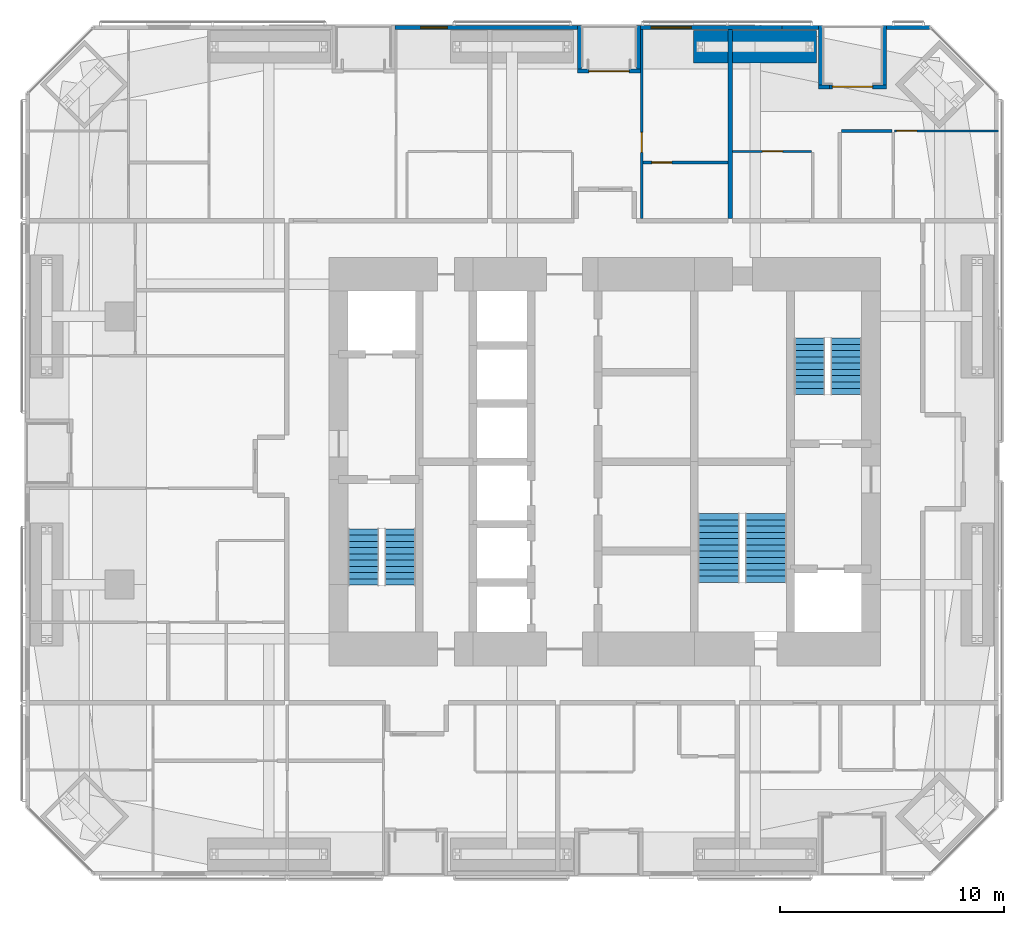
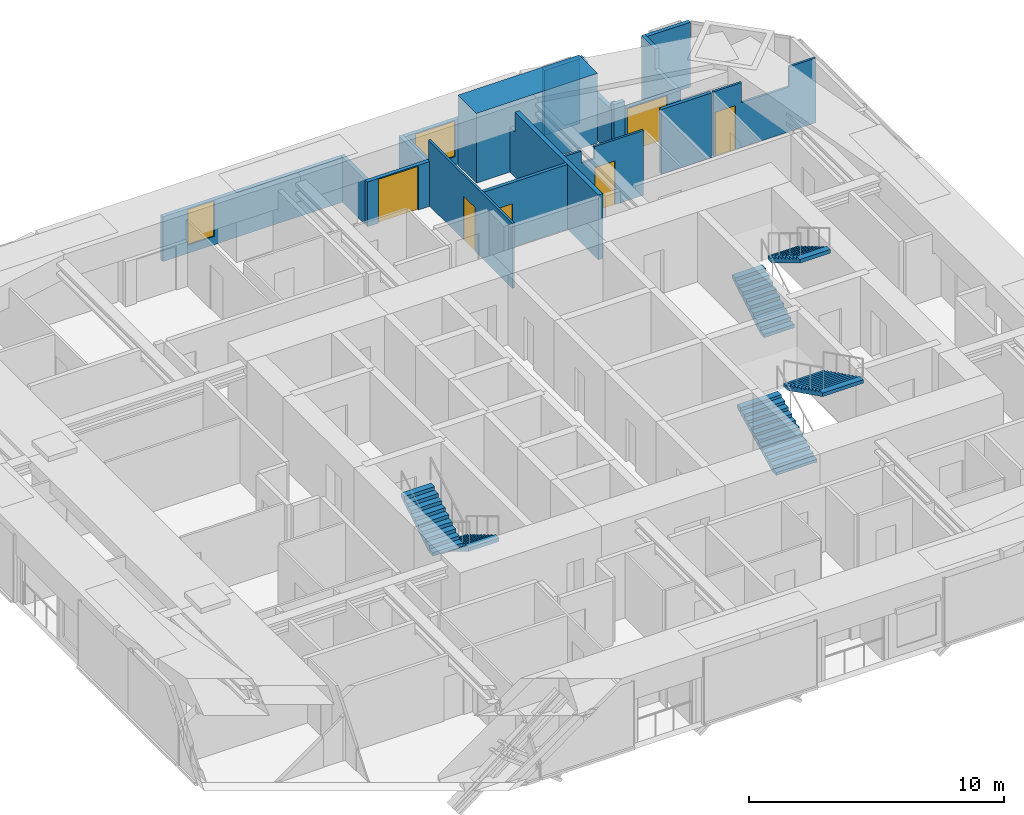
# One storey, part 22 of 23: 18 walls, 6 doors, 6 stair flights, 2 windows, 8 openings, 3 elements without a shape of their own.
"""IFC4 building model written with IfcOpenShell, lengths in metres."""

from ifc_helpers import new_model, si_unit, direction, frame, frame_2d, origin, place, context, subcontext, project, spatial, polyline, rectangle, outline, extrude, material, layer, layer_set, constituent, constituent_set, type_object, element, fill, aggregate, save


model = new_model("IFC4")

# Units and contexts
model_context = context("Model", 3, precision=1e-05, world=origin(), true_north=direction((0.0, 1.0)))
body_context = subcontext(model_context, "Body", "Model", "MODEL_VIEW")
ifc_project = project(units=[si_unit("LENGTHUNIT", "METRE"), si_unit("AREAUNIT", "SQUARE_METRE"), si_unit("VOLUMEUNIT", "CUBIC_METRE"), si_unit("PLANEANGLEUNIT", "RADIAN"), si_unit("MASSUNIT", "GRAM", prefix="KILO")], contexts=[model_context])

# Site, building, storey
site_placement = place(None, origin())
site = spatial("IfcSite", under=ifc_project, at=site_placement, CompositionType="ELEMENT")
building_placement = place(site_placement, origin())
building = spatial("IfcBuilding", under=site, at=building_placement, Name="Jalousie Tower", CompositionType="ELEMENT")
storey_placement = place(building_placement, frame((0.0, 0.0, 84.75)))
storey = spatial("IfcBuildingStorey", under=building, at=storey_placement, Name="L22", CompositionType="ELEMENT", Elevation=84.75)

# Wall, opening, door
ifc_material_1 = material(Name="Concrete block ASTM C90", Category="concrete")
ifc_constituent_1 = constituent(ifc_material_1, Name="Body")
ifc_material_2 = material(Name="Render")
ifc_constituent_2 = constituent(ifc_material_2, Name="Finish")
ifc_constituent_set_1 = constituent_set(constituents=[ifc_constituent_1, ifc_constituent_2])
wall_type_1 = type_object("IfcWallType", Name="BATHROOM WALL 150", PredefinedType="PLUMBINGWALL", material=ifc_constituent_set_1)
wall_1_placement = place(storey_placement, frame((33.60009765625, 31.875, 0.0), z_axis=(0.0, 0.0, 1.0), x_axis=(1.0, 0.0, 0.0)))
wall_1 = element("IfcWall", 1, at=wall_1_placement, inside=storey, type_object=wall_type_1, Name="Bathroom Wall 150 L22", PredefinedType="PLUMBINGWALL", context=body_context, shape_type="SweptSolid", body=[
    extrude(rectangle(XDim=3.7998046875, YDim=0.14990234375, at=frame_2d((1.89990234375, 0.0))), origin(), (0.0, 0.0, 1.0), 3.110107421875),
])
opening_1_placement = place(wall_1_placement, frame((0.39990234375, 0.0, 0.0)))
opening_1 = element("IfcOpeningElement", 2, at=opening_1_placement, cuts=wall_1, Name="Opening D3", PredefinedType="OPENING", context=body_context, shape_type="SweptSolid", body=[
    extrude(rectangle(XDim=0.89990234375, YDim=2.10009765625, at=frame_2d((0.449951171875, 1.050048828125))), frame((0.0, 0.0849609375, 0.0), z_axis=(0.0, -1.0, 0.0), x_axis=(1.0, 0.0, 0.0)), (0.0, 0.0, 1.0), 0.169921875),
])
ifc_material_3 = material(Name="Timber door", Category="wood")
door_type_1 = type_object("IfcDoorType", Name="BATHROOM DOOR 900", OperationType="SINGLE_SWING_LEFT", PredefinedType="DOOR", material=ifc_material_3)
door_1_placement = place(opening_1_placement, frame((0.89990234375, 0.0, 0.0), z_axis=(0.0, 0.0, 1.0), x_axis=(-1.0, 0.0, 0.0)))
door_1 = element("IfcDoor", 3, at=door_1_placement, inside=storey, type_object=door_type_1, Name="Apartment 2205 bedroom 1 bathroom door", OperationType="SINGLE_SWING_RIGHT", OverallHeight=2.10009765625, OverallWidth=0.89990234375, PredefinedType="DOOR", context=body_context, shape_type="SweptSolid", body=[
    extrude(rectangle(XDim=0.89990234375, YDim=2.10009765625, at=frame_2d((0.449951171875, 1.050048828125))), frame((0.0, 0.02490234375, 0.0), z_axis=(0.0, -1.0, 0.0), x_axis=(1.0, 0.0, 0.0)), (0.0, 0.0, 1.0), 0.050048828125),
])
fill(opening_1, door_1)

# Walls
wall_2_placement = place(storey_placement, frame((42.47509765625, 33.288818359375, 0.0), z_axis=(0.0, 0.0, 1.0), x_axis=(1.0, 0.0, 0.0)))
element("IfcWall", 4, at=wall_2_placement, inside=storey, type_object=wall_type_1, Name="Bathroom Wall 150 L22", PredefinedType="PLUMBINGWALL", context=body_context, shape_type="SweptSolid", body=[
    extrude(rectangle(XDim=2.27490234375, YDim=0.14990234375, at=frame_2d((1.137451171875, 0.0))), origin(), (0.0, 0.0, 1.0), 3.110107421875),
])
ifc_material_4 = material(Name="Concrete f'c 40 MPa", Category="concrete")
ifc_constituent_3 = constituent(ifc_material_4, Name="Body")
ifc_material_5 = material(Name="Render, pastel sea green")
ifc_constituent_4 = constituent(ifc_material_5, Name="Finish")
ifc_constituent_set_2 = constituent_set(constituents=[ifc_constituent_3, ifc_constituent_4])
wall_type_2 = type_object("IfcWallType", Name="EXTERNAL WALL 175 SEA GREEN RENDER", PredefinedType="SOLIDWALL", material=ifc_constituent_set_2)
wall_3_placement = place(storey_placement, frame((46.44873046875, 37.91259765625, 0.0), z_axis=(0.0, 0.0, 1.0), x_axis=(-1.0, 0.0, 0.0)))
element("IfcWall", 5, at=wall_3_placement, inside=storey, type_object=wall_type_2, Name="External Wall 175 Sea Green Render L22", PredefinedType="SOLIDWALL", context=body_context, shape_type="SweptSolid", body=[
    extrude(rectangle(XDim=1.949951171875, YDim=0.175048828125, at=frame_2d((0.97509765625, 0.0))), origin(), (0.0, 0.0, 1.0), 3.110107421875),
])
wall_4_placement = place(storey_placement, frame((41.44873046875, 37.91259765625, 0.0), z_axis=(0.0, 0.0, 1.0), x_axis=(-1.0, 0.0, 0.0)))
element("IfcWall", 6, at=wall_4_placement, inside=storey, type_object=wall_type_2, Name="External Wall 175 Sea Green Render L22-A", PredefinedType="SOLIDWALL", context=body_context, shape_type="SweptSolid", body=[
    extrude(rectangle(XDim=1.61962890625, YDim=0.175048828125, at=frame_2d((0.809814453125, 0.0))), origin(), (0.0, 0.0, 1.0), 3.110107421875),
])

# Wall, opening, window
wall_5_placement = place(storey_placement, frame((39.8291015625, 37.91259765625, 0.0), z_axis=(0.0, 0.0, 1.0), x_axis=(-1.0, 0.0, 0.0)))
wall_5 = element("IfcWall", 7, at=wall_5_placement, inside=storey, type_object=wall_type_2, Name="External Wall 175 Sea Green Render L22-B", PredefinedType="SOLIDWALL", context=body_context, shape_type="SweptSolid", body=[
    extrude(rectangle(XDim=6.3291015625, YDim=0.175048828125, at=frame_2d((3.16455078125, 0.0))), origin(), (0.0, 0.0, 1.0), 2.14990234375),
])
opening_2_placement = place(wall_5_placement, frame((4.05419921875, 0.0, 0.39990234375)))
opening_2 = element("IfcOpeningElement", 8, at=opening_2_placement, cuts=wall_5, Name="Opening W-BED170", PredefinedType="OPENING", context=body_context, shape_type="SweptSolid", body=[
    extrude(rectangle(XDim=1.800048828125, YDim=1.699951171875, at=frame_2d((0.89990234375, 0.85009765625))), frame((0.0, 0.097412109375, 0.0), z_axis=(0.0, -1.0, 0.0), x_axis=(1.0, 0.0, 0.0)), (0.0, 0.0, 1.0), 0.195068359375),
])
ifc_material_6 = material(Name="Aluminium frame, impact-rated glazing", Category="aluminium")
window_type_1 = type_object("IfcWindowType", Name="WINDOW BED 1800x1700", PartitioningType="SINGLE_PANEL", PredefinedType="WINDOW", material=ifc_material_6)
window_1_placement = place(opening_2_placement, origin())
window_1 = element("IfcWindow", 9, at=window_1_placement, inside=storey, type_object=window_type_1, Name="Apartment 2205 bedroom 1 window", OverallHeight=1.699951171875, OverallWidth=1.800048828125, PartitioningType="SINGLE_PANEL", PredefinedType="WINDOW", context=body_context, shape_type="SweptSolid", body=[
    extrude(rectangle(XDim=1.800048828125, YDim=1.699951171875, at=frame_2d((0.89990234375, 0.85009765625))), frame((0.0, 0.030029296875, 0.0), z_axis=(0.0, -1.0, 0.0), x_axis=(1.0, 0.0, 0.0)), (0.0, 0.0, 1.0), 0.06005859375),
])
fill(opening_2, window_1)

wall_6_placement = place(storey_placement, frame((30.675048828125, 37.91259765625, 0.0), z_axis=(0.0, 0.0, 1.0), x_axis=(-1.0, 0.0, 0.0)))
wall_6 = element("IfcWall", 10, at=wall_6_placement, inside=storey, type_object=wall_type_2, Name="External Wall 175 Sea Green Render L22", PredefinedType="SOLIDWALL", context=body_context, shape_type="SweptSolid", body=[
    extrude(rectangle(XDim=8.157958984375, YDim=0.175048828125, at=frame_2d((4.0791015625, 0.0))), origin(), (0.0, 0.0, 1.0), 2.14990234375),
])
opening_3_placement = place(wall_6_placement, frame((5.814697265625, 0.0, 0.39990234375)))
opening_3 = element("IfcOpeningElement", 11, at=opening_3_placement, cuts=wall_6, Name="Opening W-COR170", PredefinedType="OPENING", context=body_context, shape_type="SweptSolid", body=[
    extrude(rectangle(XDim=1.199951171875, YDim=1.699951171875, at=frame_2d((0.60009765625, 0.85009765625))), frame((0.0, 0.097412109375, 0.0), z_axis=(0.0, -1.0, 0.0), x_axis=(1.0, 0.0, 0.0)), (0.0, 0.0, 1.0), 0.195068359375),
])
ifc_material_7 = material(Name="Aluminium frame, impact-rated glazing", Category="aluminium")
window_type_2 = type_object("IfcWindowType", Name="WINDOW COR 1200x1700", PartitioningType="SINGLE_PANEL", PredefinedType="WINDOW", material=ifc_material_7)
window_2_placement = place(opening_3_placement, origin())
window_2 = element("IfcWindow", 12, at=window_2_placement, inside=storey, type_object=window_type_2, Name="Apartment 2204 dining room window", OverallHeight=1.699951171875, OverallWidth=1.199951171875, PartitioningType="SINGLE_PANEL", PredefinedType="WINDOW", context=body_context, shape_type="SweptSolid", body=[
    extrude(rectangle(XDim=1.199951171875, YDim=1.699951171875, at=frame_2d((0.60009765625, 0.85009765625))), frame((0.0, 0.030029296875, 0.0), z_axis=(0.0, -1.0, 0.0), x_axis=(1.0, 0.0, 0.0)), (0.0, 0.0, 1.0), 0.06005859375),
])
fill(opening_3, window_2)

# Wall, opening, door
wall_7_placement = place(storey_placement, frame((44.498779296875, 35.262451171875, 0.0), z_axis=(0.0, 0.0, 1.0), x_axis=(-1.0, 0.0, 0.0)))
wall_7 = element("IfcWall", 13, at=wall_7_placement, inside=storey, type_object=wall_type_2, Name="External Wall 175 Sea Green Render L22-A", PredefinedType="SOLIDWALL", context=body_context, shape_type="SweptSolid", body=[
    extrude(rectangle(XDim=2.542724609375, YDim=0.175048828125, at=frame_2d((1.271484375, 0.0))), origin(), (0.0, 0.0, 1.0), 2.14990234375),
])
opening_4_placement = place(wall_7_placement, frame((0.625, 0.0, 0.0)))
opening_4 = element("IfcOpeningElement", 14, at=opening_4_placement, cuts=wall_7, Name="Opening D-BAL21", PredefinedType="OPENING", context=body_context, shape_type="SweptSolid", body=[
    extrude(rectangle(XDim=1.800048828125, YDim=2.10009765625, at=frame_2d((0.89990234375, 1.050048828125))), frame((0.0, 0.097412109375, 0.0), z_axis=(0.0, -1.0, 0.0), x_axis=(1.0, 0.0, 0.0)), (0.0, 0.0, 1.0), 0.195068359375),
])
ifc_material_8 = material(Name="Aluminium frame, impact-rated glazing", Category="aluminium")
door_type_2 = type_object("IfcDoorType", Name="BALCONY DOOR 1800x2100", OperationType="SLIDING_TO_LEFT", PredefinedType="DOOR", material=ifc_material_8)
door_2_placement = place(opening_4_placement, origin())
door_2 = element("IfcDoor", 15, at=door_2_placement, inside=storey, type_object=door_type_2, Name="Apartment 2206 living and dining room loggia door", OperationType="SLIDING_TO_LEFT", OverallHeight=2.10009765625, OverallWidth=1.800048828125, PredefinedType="DOOR", context=body_context, shape_type="SweptSolid", body=[
    extrude(rectangle(XDim=1.800048828125, YDim=2.10009765625, at=frame_2d((0.89990234375, 1.050048828125))), frame((0.0, 0.02490234375, 0.0), z_axis=(0.0, -1.0, 0.0), x_axis=(1.0, 0.0, 0.0)), (0.0, 0.0, 1.0), 0.050048828125),
])
fill(opening_4, door_2)

# Walls
wall_8_placement = place(storey_placement, frame((41.9560546875, 35.262451171875, 0.0), z_axis=(0.0, 0.0, 1.0), x_axis=(-1.0, 0.0, 0.0)))
element("IfcWall", 16, at=wall_8_placement, inside=storey, type_object=wall_type_2, Name="External Wall 175 Sea Green Render L22-B", PredefinedType="SOLIDWALL", context=body_context, shape_type="SweptSolid", body=[
    extrude(rectangle(XDim=0.50732421875, YDim=0.175048828125, at=frame_2d((0.253662109375, 0.0))), origin(), (0.0, 0.0, 1.0), 2.510009765625),
])
wall_9_placement = place(storey_placement, frame((44.4111328125, 38.0, 0.0), z_axis=(0.0, 0.0, 1.0), x_axis=(0.0, -1.0, 0.0)))
element("IfcWall", 17, at=wall_9_placement, inside=storey, type_object=wall_type_2, Name="External Wall 175 Sea Green Render L22", PredefinedType="SOLIDWALL", context=body_context, shape_type="SweptSolid", body=[
    extrude(outline(polyline([(0.0, 0.0), (2.64990234375, 0.0), (2.64990234375, 2.14990234375), (1.091796875, 2.14990234375), (1.091796875, 3.110107421875), (0.0, 3.110107421875), (0.0, 0.0)])), frame((0.0, 0.08740234375, 0.0), z_axis=(0.0, -1.0, 0.0), x_axis=(1.0, 0.0, 0.0)), (0.0, 0.0, 1.0), 0.175048828125),
])
wall_10_placement = place(storey_placement, frame((41.5361328125, 38.0, 0.0), z_axis=(0.0, 0.0, 1.0), x_axis=(0.0, -1.0, 0.0)))
element("IfcWall", 18, at=wall_10_placement, inside=storey, type_object=wall_type_2, Name="External Wall 175 Sea Green Render L22", PredefinedType="SOLIDWALL", context=body_context, shape_type="SweptSolid", body=[
    extrude(outline(polyline([(0.0, 0.0), (2.64990234375, 0.0), (2.64990234375, 2.510009765625), (2.582275390625, 2.510009765625), (2.582275390625, 2.14990234375), (0.50537109375, 2.14990234375), (0.50537109375, 3.110107421875), (0.0, 3.110107421875), (0.0, 0.0)])), frame((0.0, 0.08740234375, 0.0), z_axis=(0.0, -1.0, 0.0), x_axis=(1.0, 0.0, 0.0)), (0.0, 0.0, 1.0), 0.175048828125),
])

# Wall, opening, door
wall_11_placement = place(storey_placement, frame((33.5, 35.96240234375, 0.0), z_axis=(0.0, 0.0, 1.0), x_axis=(-1.0, 0.0, 0.0)))
wall_11 = element("IfcWall", 19, at=wall_11_placement, inside=storey, type_object=wall_type_2, Name="External Wall 175 Sea Green Render L22", PredefinedType="SOLIDWALL", context=body_context, shape_type="SweptSolid", body=[
    extrude(rectangle(XDim=2.824951171875, YDim=0.175048828125, at=frame_2d((1.41259765625, 0.0))), origin(), (0.0, 0.0, 1.0), 2.14990234375),
])
opening_5_placement = place(wall_11_placement, frame((0.512451171875, 0.0, 0.0)))
opening_5 = element("IfcOpeningElement", 20, at=opening_5_placement, cuts=wall_11, Name="Opening D-BAL21", PredefinedType="OPENING", context=body_context, shape_type="SweptSolid", body=[
    extrude(rectangle(XDim=1.800048828125, YDim=2.10009765625, at=frame_2d((0.89990234375, 1.050048828125))), frame((0.0, 0.097412109375, 0.0), z_axis=(0.0, -1.0, 0.0), x_axis=(1.0, 0.0, 0.0)), (0.0, 0.0, 1.0), 0.195068359375),
])
door_3_placement = place(opening_5_placement, origin())
door_3 = element("IfcDoor", 21, at=door_3_placement, inside=storey, type_object=door_type_2, Name="Apartment 2205 living and dining room loggia door", OperationType="SLIDING_TO_LEFT", OverallHeight=2.10009765625, OverallWidth=1.800048828125, PredefinedType="DOOR", context=body_context, shape_type="SweptSolid", body=[
    extrude(rectangle(XDim=1.800048828125, YDim=2.10009765625, at=frame_2d((0.89990234375, 1.050048828125))), frame((0.0, 0.02490234375, 0.0), z_axis=(0.0, -1.0, 0.0), x_axis=(1.0, 0.0, 0.0)), (0.0, 0.0, 1.0), 0.050048828125),
])
fill(opening_5, door_3)

# Walls
for number, where, z_axis, x_axis, name in (
    (22, (33.41259765625, 38.0, 0.0), (0.0, 0.0, 1.0), (0.0, -1.0, 0.0), "External Wall 175 Sea Green Render L22"),
    (23, (30.762451171875, 38.0, 0.0), (0.0, 0.0, 1.0), (0.0, -1.0, 0.0), "External Wall 175 Sea Green Render L22"),
):
    element("IfcWall", number, at=place(storey_placement, frame(where, z_axis=z_axis, x_axis=x_axis)), inside=storey, type_object=wall_type_2, Name=name, PredefinedType="SOLIDWALL", context=body_context, shape_type="SweptSolid", body=[
        extrude(rectangle(XDim=1.949951171875, YDim=0.175048828125, at=frame_2d((0.97509765625, 0.0))), origin(), (0.0, 0.0, 1.0), 2.14990234375),
    ])

# Wall, opening, door
ifc_material_9 = material(Name="Gypsum board", Category="gypsum")
ifc_constituent_5 = constituent(ifc_material_9, Name="Body")
ifc_material_10 = material(Name="Light-gauge steel studs ASTM A653 SS Grade 33", Category="steel")
ifc_constituent_6 = constituent(ifc_material_10, Name="Framing")
ifc_constituent_set_3 = constituent_set(constituents=[ifc_constituent_5, ifc_constituent_6])
wall_type_3 = type_object("IfcWallType", Name="PARTITION 100", PredefinedType="PARTITIONING", material=ifc_constituent_set_3)
wall_12_placement = place(storey_placement, frame((33.550048828125, 37.824951171875, 0.0), z_axis=(0.0, 0.0, 1.0), x_axis=(0.0, -1.0, 0.0)))
wall_12 = element("IfcWall", 24, at=wall_12_placement, inside=storey, type_object=wall_type_3, Name="Partition 100 L22", PredefinedType="PARTITIONING", context=body_context, shape_type="SweptSolid", body=[
    extrude(outline(polyline([(0.0, 0.0), (8.449951171875, 0.0), (8.449951171875, 3.110107421875), (1.8349609375, 3.110107421875), (1.8349609375, 2.14990234375), (0.0, 2.14990234375), (0.0, 3.110107421875), (0.0, 0.0)])), frame((0.0, 0.050048828125, 0.0), z_axis=(0.0, -1.0, 0.0), x_axis=(1.0, 0.0, 0.0)), (0.0, 0.0, 1.0), 0.10009765625),
])
opening_6_placement = place(wall_12_placement, frame((4.60009765625, 0.0, 0.0)))
opening_6 = element("IfcOpeningElement", 25, at=opening_6_placement, cuts=wall_12, Name="Opening D2", PredefinedType="OPENING", context=body_context, shape_type="SweptSolid", body=[
    extrude(rectangle(XDim=0.89990234375, YDim=2.10009765625, at=frame_2d((0.449951171875, 1.050048828125))), frame((0.0, 0.06005859375, 0.0), z_axis=(0.0, -1.0, 0.0), x_axis=(1.0, 0.0, 0.0)), (0.0, 0.0, 1.0), 0.1201171875),
])
ifc_material_11 = material(Name="Timber door", Category="wood")
door_type_3 = type_object("IfcDoorType", Name="BEDROOM DOOR 900", OperationType="SINGLE_SWING_LEFT", PredefinedType="DOOR", material=ifc_material_11)
door_4_placement = place(opening_6_placement, origin())
door_4 = element("IfcDoor", 26, at=door_4_placement, inside=storey, type_object=door_type_3, Name="Apartment 2205 bedroom 1 door", OperationType="SINGLE_SWING_RIGHT", OverallHeight=2.10009765625, OverallWidth=0.89990234375, PredefinedType="DOOR", context=body_context, shape_type="SweptSolid", body=[
    extrude(rectangle(XDim=0.89990234375, YDim=2.10009765625, at=frame_2d((0.449951171875, 1.050048828125))), frame((0.0, 0.02490234375, 0.0), z_axis=(0.0, -1.0, 0.0), x_axis=(1.0, 0.0, 0.0)), (0.0, 0.0, 1.0), 0.050048828125),
])
fill(opening_6, door_4)

wall_13_placement = place(storey_placement, frame((44.85009765625, 33.288818359375, 0.0), z_axis=(0.0, 0.0, 1.0), x_axis=(1.0, 0.0, 0.0)))
wall_13 = element("IfcWall", 27, at=wall_13_placement, inside=storey, type_object=wall_type_3, Name="Partition 100 L22", PredefinedType="PARTITIONING", context=body_context, shape_type="SweptSolid", body=[
    extrude(outline(polyline([(0.0, 0.0), (4.64990234375, 0.0), (4.64990234375, 3.110107421875), (3.4296875, 3.110107421875), (3.4296875, 2.14990234375), (1.281982421875, 2.14990234375), (1.281982421875, 3.110107421875), (0.0, 3.110107421875), (0.0, 0.0)])), frame((0.0, 0.050048828125, 0.0), z_axis=(0.0, -1.0, 0.0), x_axis=(1.0, 0.0, 0.0)), (0.0, 0.0, 1.0), 0.10009765625),
])
opening_7_placement = place(wall_13_placement, frame((0.10009765625, 0.0, 0.0)))
opening_7 = element("IfcOpeningElement", 28, at=opening_7_placement, cuts=wall_13, Name="Opening D2", PredefinedType="OPENING", context=body_context, shape_type="SweptSolid", body=[
    extrude(rectangle(XDim=0.89990234375, YDim=2.10009765625, at=frame_2d((0.449951171875, 1.050048828125))), frame((0.0, 0.06005859375, 0.0), z_axis=(0.0, -1.0, 0.0), x_axis=(1.0, 0.0, 0.0)), (0.0, 0.0, 1.0), 0.1201171875),
])
door_5_placement = place(opening_7_placement, frame((0.89990234375, 0.0, 0.0), z_axis=(0.0, 0.0, 1.0), x_axis=(-1.0, 0.0, 0.0)))
door_5 = element("IfcDoor", 29, at=door_5_placement, inside=storey, type_object=door_type_3, Name="Apartment 2206 bedroom 1 door", OperationType="SINGLE_SWING_RIGHT", OverallHeight=2.10009765625, OverallWidth=0.89990234375, PredefinedType="DOOR", context=body_context, shape_type="SweptSolid", body=[
    extrude(rectangle(XDim=0.89990234375, YDim=2.10009765625, at=frame_2d((0.449951171875, 1.050048828125))), frame((0.0, 0.02490234375, 0.0), z_axis=(0.0, -1.0, 0.0), x_axis=(1.0, 0.0, 0.0)), (0.0, 0.0, 1.0), 0.050048828125),
])
fill(opening_7, door_5)

wall_14_placement = place(storey_placement, frame((37.60009765625, 32.375, 0.0), z_axis=(0.0, 0.0, 1.0), x_axis=(1.0, 0.0, 0.0)))
wall_14 = element("IfcWall", 30, at=wall_14_placement, inside=storey, type_object=wall_type_3, Name="Partition 100 L22", PredefinedType="PARTITIONING", context=body_context, shape_type="SweptSolid", body=[
    extrude(outline(polyline([(0.0, 0.0), (3.5498046875, 0.0), (3.550048828125, 3.110107421875), (1.3212890625, 3.110107421875), (1.3212890625, 2.531005859375), (0.728759765625, 2.531005859375), (0.728759765625, 3.110107421875), (0.0, 3.110107421875), (0.0, 0.0)])), frame((0.0, 0.050048828125, 0.0), z_axis=(0.0, -1.0, 0.0), x_axis=(1.0, 0.0, 0.0)), (0.0, 0.0, 1.0), 0.10009765625),
])
opening_8_placement = place(wall_14_placement, frame((1.35009765625, 0.0, 0.0)))
opening_8 = element("IfcOpeningElement", 31, at=opening_8_placement, cuts=wall_14, Name="Opening D7", PredefinedType="OPENING", context=body_context, shape_type="SweptSolid", body=[
    extrude(rectangle(XDim=0.89990234375, YDim=2.10009765625, at=frame_2d((0.449951171875, 1.050048828125))), frame((0.0, 0.06005859375, 0.0), z_axis=(0.0, -1.0, 0.0), x_axis=(1.0, 0.0, 0.0)), (0.0, 0.0, 1.0), 0.1201171875),
])
ifc_material_12 = material(Name="Timber door", Category="wood")
door_type_4 = type_object("IfcDoorType", Name="INTERNAL DOOR 900", OperationType="SINGLE_SWING_LEFT", PredefinedType="DOOR", material=ifc_material_12)
door_6_placement = place(opening_8_placement, origin())
door_6 = element("IfcDoor", 32, at=door_6_placement, inside=storey, type_object=door_type_4, Name="Apartment 2206 kitchen door", OperationType="SINGLE_SWING_LEFT", OverallHeight=2.10009765625, OverallWidth=0.89990234375, PredefinedType="DOOR", context=body_context, shape_type="SweptSolid", body=[
    extrude(rectangle(XDim=0.89990234375, YDim=2.10009765625, at=frame_2d((0.449951171875, 1.050048828125))), frame((0.0, 0.02490234375, 0.0), z_axis=(0.0, -1.0, 0.0), x_axis=(1.0, 0.0, 0.0)), (0.0, 0.0, 1.0), 0.050048828125),
])
fill(opening_8, door_6)

# Walls
ifc_material_13 = material(Name="Concrete block ASTM C90", Category="concrete")
ifc_constituent_7 = constituent(ifc_material_13, Name="Body")
ifc_material_14 = material(Name="Render")
ifc_constituent_8 = constituent(ifc_material_14, Name="Finish")
ifc_constituent_set_4 = constituent_set(constituents=[ifc_constituent_7, ifc_constituent_8])
wall_type_4 = type_object("IfcWallType", Name="PARTY WALL 200", PredefinedType="PARTITIONING", material=ifc_constituent_set_4)
wall_15_placement = place(storey_placement, frame((37.5, 37.824951171875, 0.0), z_axis=(0.0, 0.0, 1.0), x_axis=(0.0, -1.0, 0.0)))
element("IfcWall", 33, at=wall_15_placement, inside=storey, type_object=wall_type_4, Name="Party Wall 200 L22", PredefinedType="PARTITIONING", context=body_context, shape_type="SweptSolid", body=[
    extrude(outline(polyline([(0.52880859375, 2.14990234375), (0.0, 2.14990234375), (0.0, 0.0), (0.52880859375, 0.0), (0.52880859375, 0.431396484375), (1.021240234375, 0.431396484375), (1.021240234375, 0.0), (8.449951171875, 0.0), (8.449951171875, 3.110107421875), (1.885009765625, 3.110107421875), (1.885009765625, 2.14990234375), (1.021240234375, 2.14990234375), (1.021240234375, 1.2685546875), (0.52880859375, 1.2685546875), (0.52880859375, 2.14990234375)])), frame((0.0, 0.10009765625, 0.0), z_axis=(0.0, -1.0, 0.0), x_axis=(1.0, 0.0, 0.0)), (0.0, 0.0, 1.0), 0.199951171875),
])
ifc_material_15 = material(Name="Concrete f'c 120 MPa", Category="concrete")
ifc_layer = layer(ifc_material_15, 1.449951171875)
ifc_layer_set = layer_set([ifc_layer], Name="Concrete f'c 120 MPa")
wall_type_5 = type_object("IfcWallType", Name="RC WALL PIER 1450", PredefinedType="SHEAR", material=ifc_layer_set)
wall_16_placement = place(storey_placement, frame((35.875, 37.050048828125, 0.0), z_axis=(0.0, 0.0, 1.0), x_axis=(1.0, 0.0, 0.0)))
element("IfcWall", 34, at=wall_16_placement, inside=storey, type_object=wall_type_5, Name="Wall pier 09 L22", PredefinedType="SHEAR", context=body_context, shape_type="SweptSolid", body=[
    extrude(rectangle(XDim=5.5, YDim=1.449951171875, at=frame_2d((2.75, 0.0))), origin(), (0.0, 0.0, 1.0), 3.35009765625),
])

# Stair, stair flights
ifc_material_16 = material(Name="Concrete f'c 40 MPa", Category="concrete")
stair_type = type_object("IfcStairType", Name="EXIT STAIR", PredefinedType="HALF_TURN_STAIR", material=ifc_material_16)
stair_1_placement = place(storey_placement, origin())
stair_1 = element("IfcStair", 35, at=stair_1_placement, inside=storey, type_object=stair_type, Name="Exit stair A L22", PredefinedType="HALF_TURN_STAIR")
ifc_material_17 = material(Name="Concrete f'c 40 MPa", Category="concrete")
stair_flight_type = type_object("IfcStairFlightType", Name="STAIR FLIGHT", PredefinedType="STRAIGHT", material=ifc_material_17)
stair_flight_1_placement = place(storey_placement, frame((22.737548828125, 15.49755859375, 0.0), z_axis=(0.0, 0.0, 1.0), x_axis=(0.0, -1.0, 0.0)))
stair_flight_1 = element("IfcStairFlight", 36, at=stair_flight_1_placement, type_object=stair_flight_type, Name="ST-A flight 1", NumberOfRisers=10, NumberOfTreads=9, PredefinedType="STRAIGHT", RiserHeight=0.1675, TreadLength=0.28, context=body_context, shape_type="SweptSolid", body=[
    extrude(outline(polyline([(0.0, 0.0), (0.0, 0.16748046875), (0.280029296875, 0.16748046875), (0.280029296875, 0.3349609375), (0.56005859375, 0.3349609375), (0.56005859375, 0.50244140625), (0.840087890625, 0.50244140625), (0.840087890625, 0.669921875), (1.1201171875, 0.669921875), (1.1201171875, 0.83740234375), (1.39990234375, 0.83740234375), (1.39990234375, 1.0048828125), (1.679931640625, 1.0048828125), (1.679931640625, 1.172607421875), (1.9599609375, 1.172607421875), (1.9599609375, 1.340087890625), (2.239990234375, 1.340087890625), (2.239990234375, 1.507568359375), (2.52001953125, 1.507568359375), (2.52001953125, 1.675048828125), (2.52001953125, 1.332763671875), (0.2919921875, 0.0), (0.0, 0.0)])), frame((0.0, 0.6875, 0.0), z_axis=(0.0, -1.0, 0.0), x_axis=(1.0, 0.0, 0.0)), (0.0, 0.0, 1.0), 1.375),
])
stair_flight_2_placement = place(storey_placement, frame((21.112548828125, 12.9775390625, 1.675048828125), z_axis=(0.0, 0.0, 1.0), x_axis=(0.0, 1.0, 0.0)))
stair_flight_2 = element("IfcStairFlight", 37, at=stair_flight_2_placement, type_object=stair_flight_type, Name="ST-A flight 2", NumberOfRisers=10, NumberOfTreads=9, PredefinedType="STRAIGHT", RiserHeight=0.1675, TreadLength=0.28, context=body_context, shape_type="SweptSolid", body=[
    extrude(outline(polyline([(0.0, 0.0), (0.0, 0.16748046875), (0.280029296875, 0.16748046875), (0.280029296875, 0.3349609375), (0.56005859375, 0.3349609375), (0.56005859375, 0.50244140625), (0.840087890625, 0.50244140625), (0.840087890625, 0.669921875), (1.1201171875, 0.669921875), (1.1201171875, 0.83740234375), (1.39990234375, 0.83740234375), (1.39990234375, 1.0048828125), (1.679931640625, 1.0048828125), (1.679931640625, 1.172607421875), (1.9599609375, 1.172607421875), (1.9599609375, 1.340087890625), (2.239990234375, 1.340087890625), (2.239990234375, 1.507568359375), (2.52001953125, 1.507568359375), (2.52001953125, 1.675048828125), (2.52001953125, 1.332763671875), (0.2919921875, 0.0), (0.0, 0.0)])), frame((0.0, 0.6875, 0.0), z_axis=(0.0, -1.0, 0.0), x_axis=(1.0, 0.0, 0.0)), (0.0, 0.0, 1.0), 1.375),
])
aggregate(stair_1, [stair_flight_1, stair_flight_2])

stair_2_placement = place(storey_placement, origin())
stair_2 = element("IfcStair", 38, at=stair_2_placement, inside=storey, type_object=stair_type, Name="Exit stair B L22", PredefinedType="HALF_TURN_STAIR")
stair_flight_3_placement = place(storey_placement, frame((41.0625, 21.50244140625, 0.0), z_axis=(0.0, 0.0, 1.0), x_axis=(0.0, 1.0, 0.0)))
stair_flight_3 = element("IfcStairFlight", 39, at=stair_flight_3_placement, type_object=stair_flight_type, Name="ST-B flight 1", NumberOfRisers=10, NumberOfTreads=9, PredefinedType="STRAIGHT", RiserHeight=0.1675, TreadLength=0.28, context=body_context, shape_type="SweptSolid", body=[
    extrude(outline(polyline([(0.0, 0.0), (0.0, 0.16748046875), (0.280029296875, 0.16748046875), (0.280029296875, 0.3349609375), (0.56005859375, 0.3349609375), (0.56005859375, 0.50244140625), (0.840087890625, 0.50244140625), (0.840087890625, 0.669921875), (1.1201171875, 0.669921875), (1.1201171875, 0.83740234375), (1.39990234375, 0.83740234375), (1.39990234375, 1.0048828125), (1.679931640625, 1.0048828125), (1.679931640625, 1.172607421875), (1.9599609375, 1.172607421875), (1.9599609375, 1.340087890625), (2.239990234375, 1.340087890625), (2.239990234375, 1.507568359375), (2.52001953125, 1.507568359375), (2.52001953125, 1.675048828125), (2.52001953125, 1.332763671875), (0.2919921875, 0.0), (0.0, 0.0)])), frame((0.0, 0.6875, 0.0), z_axis=(0.0, -1.0, 0.0), x_axis=(1.0, 0.0, 0.0)), (0.0, 0.0, 1.0), 1.375),
])
stair_flight_4_placement = place(storey_placement, frame((42.6875, 24.0224609375, 1.675048828125), z_axis=(0.0, 0.0, 1.0), x_axis=(0.0, -1.0, 0.0)))
stair_flight_4 = element("IfcStairFlight", 40, at=stair_flight_4_placement, type_object=stair_flight_type, Name="ST-B flight 2", NumberOfRisers=10, NumberOfTreads=9, PredefinedType="STRAIGHT", RiserHeight=0.1675, TreadLength=0.28, context=body_context, shape_type="SweptSolid", body=[
    extrude(outline(polyline([(0.0, 0.0), (0.0, 0.16748046875), (0.280029296875, 0.16748046875), (0.280029296875, 0.3349609375), (0.56005859375, 0.3349609375), (0.56005859375, 0.50244140625), (0.840087890625, 0.50244140625), (0.840087890625, 0.669921875), (1.1201171875, 0.669921875), (1.1201171875, 0.83740234375), (1.39990234375, 0.83740234375), (1.39990234375, 1.0048828125), (1.679931640625, 1.0048828125), (1.679931640625, 1.172607421875), (1.9599609375, 1.172607421875), (1.9599609375, 1.340087890625), (2.239990234375, 1.340087890625), (2.239990234375, 1.507568359375), (2.52001953125, 1.507568359375), (2.52001953125, 1.675048828125), (2.52001953125, 1.332763671875), (0.2919921875, 0.0), (0.0, 0.0)])), frame((0.0, 0.6875, 0.0), z_axis=(0.0, -1.0, 0.0), x_axis=(1.0, 0.0, 0.0)), (0.0, 0.0, 1.0), 1.375),
])
aggregate(stair_2, [stair_flight_3, stair_flight_4])

stair_3_placement = place(storey_placement, origin())
stair_3 = element("IfcStair", 41, at=stair_3_placement, inside=storey, type_object=stair_type, Name="Exit stair C L22", PredefinedType="HALF_TURN_STAIR")
stair_flight_5_placement = place(storey_placement, frame((37.0, 13.097412109375, 0.0), z_axis=(0.0, 0.0, 1.0), x_axis=(0.0, 1.0, 0.0)))
stair_flight_5 = element("IfcStairFlight", 42, at=stair_flight_5_placement, type_object=stair_flight_type, Name="ST-C flight 1", NumberOfRisers=12, NumberOfTreads=11, PredefinedType="STRAIGHT", RiserHeight=0.139583333, TreadLength=0.28, context=body_context, shape_type="SweptSolid", body=[
    extrude(outline(polyline([(0.0, 0.0), (0.0, 0.1396484375), (0.280029296875, 0.1396484375), (0.280029296875, 0.279052734375), (0.56005859375, 0.279052734375), (0.56005859375, 0.418701171875), (0.840087890625, 0.418701171875), (0.840087890625, 0.558349609375), (1.1201171875, 0.558349609375), (1.1201171875, 0.697998046875), (1.39990234375, 0.697998046875), (1.39990234375, 0.83740234375), (1.679931640625, 0.83740234375), (1.679931640625, 0.97705078125), (1.9599609375, 0.97705078125), (1.9599609375, 1.11669921875), (2.239990234375, 1.11669921875), (2.239990234375, 1.25634765625), (2.52001953125, 1.25634765625), (2.52001953125, 1.395751953125), (2.800048828125, 1.395751953125), (2.800048828125, 1.535400390625), (3.080078125, 1.535400390625), (3.080078125, 1.675048828125), (3.080078125, 1.367919921875), (0.3359375, 0.0), (0.0, 0.0)])), frame((0.0, 0.925048828125, 0.0), z_axis=(0.0, -1.0, 0.0), x_axis=(1.0, 0.0, 0.0)), (0.0, 0.0, 1.0), 1.85009765625),
])
stair_flight_6_placement = place(storey_placement, frame((39.10009765625, 16.177490234375, 1.675048828125), z_axis=(0.0, 0.0, 1.0), x_axis=(0.0, -1.0, 0.0)))
stair_flight_6 = element("IfcStairFlight", 43, at=stair_flight_6_placement, type_object=stair_flight_type, Name="ST-C flight 2", NumberOfRisers=12, NumberOfTreads=11, PredefinedType="STRAIGHT", RiserHeight=0.139583333, TreadLength=0.28, context=body_context, shape_type="SweptSolid", body=[
    extrude(outline(polyline([(0.0, 0.0), (0.0, 0.1396484375), (0.280029296875, 0.1396484375), (0.280029296875, 0.279052734375), (0.56005859375, 0.279052734375), (0.56005859375, 0.418701171875), (0.840087890625, 0.418701171875), (0.840087890625, 0.558349609375), (1.1201171875, 0.558349609375), (1.1201171875, 0.697998046875), (1.39990234375, 0.697998046875), (1.39990234375, 0.83740234375), (1.679931640625, 0.83740234375), (1.679931640625, 0.97705078125), (1.9599609375, 0.97705078125), (1.9599609375, 1.11669921875), (2.239990234375, 1.11669921875), (2.239990234375, 1.25634765625), (2.52001953125, 1.25634765625), (2.52001953125, 1.395751953125), (2.800048828125, 1.395751953125), (2.800048828125, 1.535400390625), (3.080078125, 1.535400390625), (3.080078125, 1.675048828125), (3.080078125, 1.367919921875), (0.3359375, 0.0), (0.0, 0.0)])), frame((0.0, 0.925048828125, 0.0), z_axis=(0.0, -1.0, 0.0), x_axis=(1.0, 0.0, 0.0)), (0.0, 0.0, 1.0), 1.85009765625),
])
aggregate(stair_3, [stair_flight_5, stair_flight_6])

save(model, "model.ifc")
